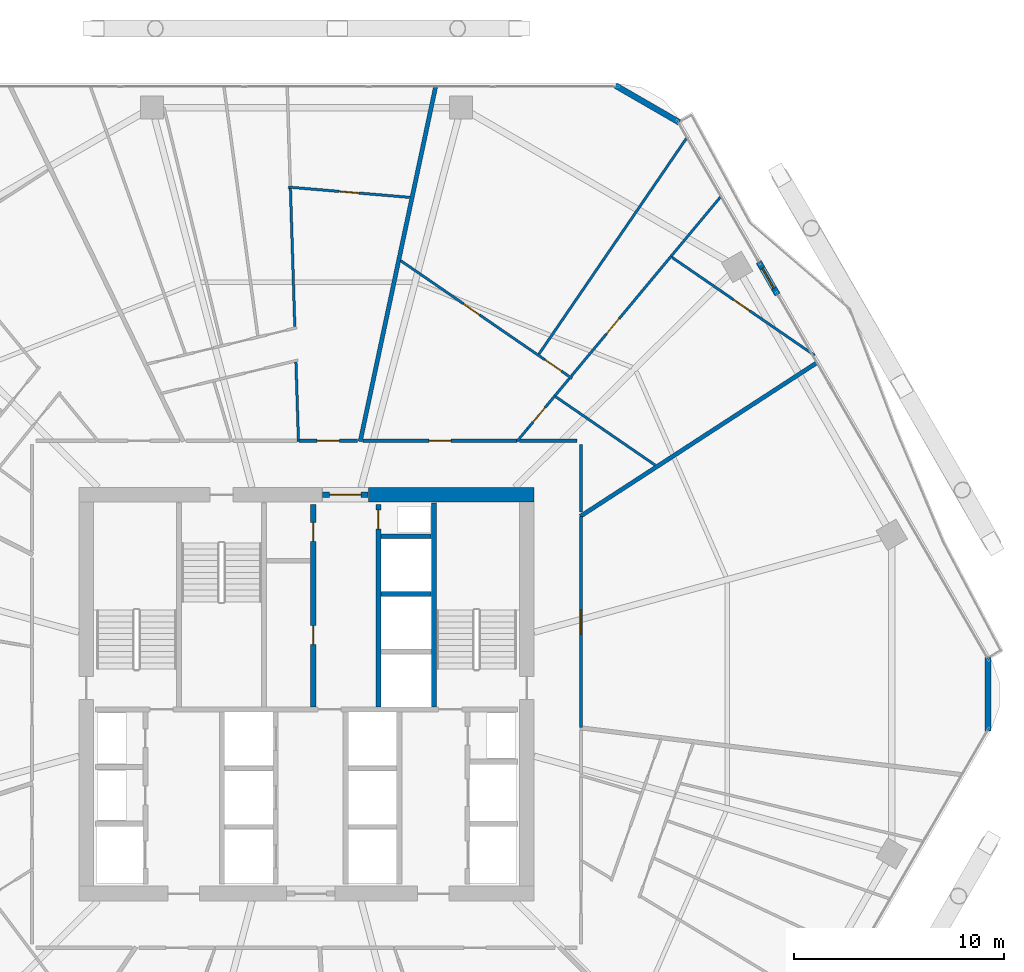
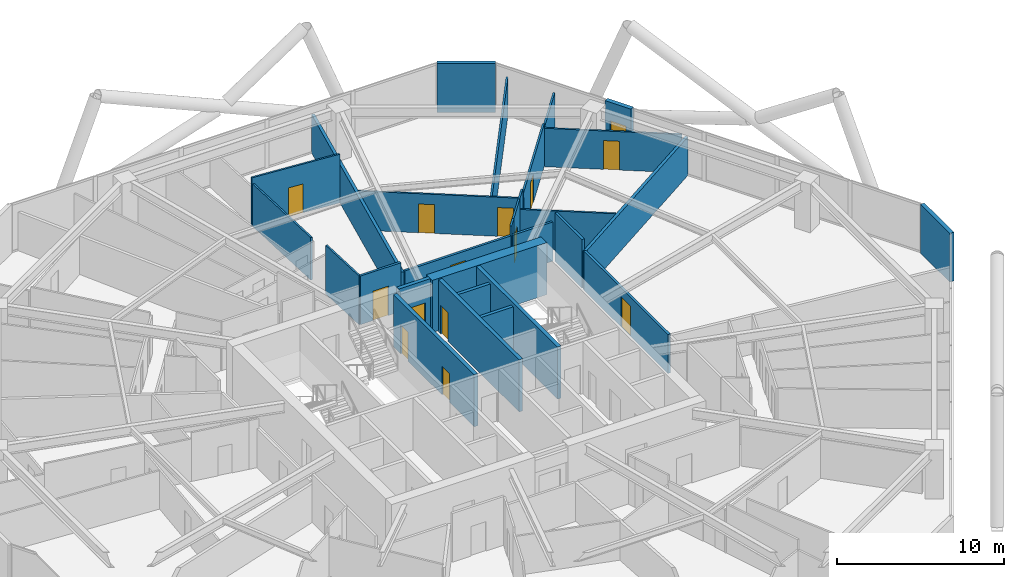
# One storey, part 31 of 35: 29 walls, 14 doors, 14 openings.
"""IFC4 building model written with IfcOpenShell, lengths in metres."""

import ifcopenshell
import ifcopenshell.guid

model = None  # the IFC model being written
_history = None  # IfcOwnerHistory: only IFC2X3 demands one
_inside = {}  # id of a spatial element -> (the spatial element, [elements in it])
_under = {}  # id of a project, library or spatial element -> (it, [spatial elements below it])
_declared = {}  # id of a project -> (the project, [libraries it declares])
_typed = {}  # id of a type object -> (the type object, [elements of that type])
_made_of = {}  # id of a material, layer set ... -> (it, [elements and type objects made of it])


def new_model(schema):
    """Start an empty IFC model of exactly this schema.

    Asked for "IFC4X3", IfcOpenShell would pick the latest addendum, in which some entities
    have other attributes; the version numbers below select the first issue.
    IFC2X3 requires an IfcOwnerHistory on every rooted entity: one is made here for all.
    """
    global model, _history
    if schema == "IFC4X3":
        model = ifcopenshell.file(schema_version=(4, 3, 0, 0))
    else:
        model = ifcopenshell.file(schema=schema)
    _inside.clear()
    _under.clear()
    _declared.clear()
    _typed.clear()
    _made_of.clear()
    _history = None
    if model.schema == "IFC2X3":
        org = make("IfcOrganization", Name="unknown")
        user = make(
            "IfcPersonAndOrganization",
            ThePerson=make("IfcPerson", FamilyName="unknown"),
            TheOrganization=org,
        )
        app = make(
            "IfcApplication",
            ApplicationDeveloper=org,
            Version="unknown",
            ApplicationFullName="unknown",
            ApplicationIdentifier="unknown",
        )
        _history = make(
            "IfcOwnerHistory",
            OwningUser=user,
            OwningApplication=app,
            ChangeAction="ADDED",
            CreationDate=0,
        )
    return model


def make(cls, **values):
    """One entity of the class cls with the attributes given. An attribute that is None is left unset."""
    return model.create_entity(
        cls, **{name: value for name, value in values.items() if value is not None}
    )


def rooted(cls, **values):
    """An entity with a GlobalId (a new one), such as an element, a storey or a relation."""
    return make(cls, GlobalId=ifcopenshell.guid.new(), OwnerHistory=_history, **values)


def si_unit(unit_type, name, prefix=None):
    """IfcSIUnit, for example si_unit("LENGTHUNIT", "METRE", prefix="MILLI")."""
    return make("IfcSIUnit", UnitType=unit_type, Prefix=prefix, Name=name)


def assignment(units):
    """IfcUnitAssignment: the units of a project."""
    return None if units is None else make("IfcUnitAssignment", Units=units)


def point(xyz):
    """IfcCartesianPoint."""
    return None if xyz is None else make("IfcCartesianPoint", Coordinates=xyz)


def direction(xyz):
    """IfcDirection."""
    return None if xyz is None else make("IfcDirection", DirectionRatios=xyz)


def frame(location, z_axis=None, x_axis=None):
    """IfcAxis2Placement3D, a coordinate frame: its origin and axes. An axis left out is left unset."""
    return make(
        "IfcAxis2Placement3D",
        Location=point(location),
        Axis=direction(z_axis),
        RefDirection=direction(x_axis),
    )


def frame_2d(location, x_axis=None):
    """IfcAxis2Placement2D, a coordinate frame in the plane: its origin and x axis."""
    return make(
        "IfcAxis2Placement2D", Location=point(location), RefDirection=direction(x_axis)
    )


def origin():
    """The frame at (0, 0, 0) with its axes left unset."""
    return frame((0.0, 0.0, 0.0))


def place(relative_to, where):
    """IfcLocalPlacement: puts the frame where relative to a parent placement (None: the world)."""
    return make(
        "IfcLocalPlacement", PlacementRelTo=relative_to, RelativePlacement=where
    )


def context(
    kind, dimensions, precision=None, world=None, true_north=None, identifier=None
):
    """IfcGeometricRepresentationContext, for example the 3D "Model" context."""
    return make(
        "IfcGeometricRepresentationContext",
        ContextIdentifier=identifier,
        ContextType=kind,
        CoordinateSpaceDimension=dimensions,
        Precision=precision,
        WorldCoordinateSystem=world,
        TrueNorth=true_north,
    )


def subcontext(parent, identifier, kind, view, scale=None):
    """IfcGeometricRepresentationSubContext, for example "Body" below "Model"."""
    return make(
        "IfcGeometricRepresentationSubContext",
        ContextIdentifier=identifier,
        ContextType=kind,
        ParentContext=parent,
        TargetScale=scale,
        TargetView=view,
    )


def project(units=None, contexts=None):
    """IfcProject with its units and contexts."""
    return rooted(
        "IfcProject",
        Name="project",
        RepresentationContexts=contexts,
        UnitsInContext=assignment(units),
    )


def spatial(cls, under=None, at=None, **own):
    """A site, building, storey or space (cls), placed at a placement, below another one or the project."""
    s = rooted(cls, ObjectPlacement=at, **own)
    if under is not None:
        _under.setdefault(under.id(), (under, []))[1].append(s)
    return s


def profile(cls, at=None, kind="AREA", **sizes):
    """A parametric profile (cls). Its sizes go by their IFC names, for example OverallWidth=200.0."""
    return make(cls, ProfileType=kind, Position=at, **sizes)


def rectangle(**sizes):
    """IfcRectangleProfileDef."""
    return profile("IfcRectangleProfileDef", **sizes)


def extrude(swept, where, along, depth):
    """IfcExtrudedAreaSolid: the profile swept, set in the frame where, extruded along a direction by depth."""
    return make(
        "IfcExtrudedAreaSolid",
        SweptArea=swept,
        Position=where,
        ExtrudedDirection=direction(along),
        Depth=depth,
    )


def shape(context_of_items, identifier, shape_type, items):
    """IfcShapeRepresentation: the items that make up one representation, for example the "Body"."""
    return make(
        "IfcShapeRepresentation",
        ContextOfItems=context_of_items,
        RepresentationIdentifier=identifier,
        RepresentationType=shape_type,
        Items=items,
    )


def material(Name=None, Category=None):
    """IfcMaterial."""
    return make("IfcMaterial", Name=Name, Category=Category)


def layer(
    of_material, thickness, ventilated=None, Name=None, Category=None, Priority=None
):
    """IfcMaterialLayer: one layer of a wall or slab, of a material (None: an air gap)."""
    return make(
        "IfcMaterialLayer",
        Material=of_material,
        LayerThickness=thickness,
        IsVentilated=ventilated,
        Name=Name,
        Category=Category,
        Priority=Priority,
    )


def layer_set(layers, Name=None):
    """IfcMaterialLayerSet."""
    return make("IfcMaterialLayerSet", MaterialLayers=layers, LayerSetName=Name)


def made_of(thing, what):
    """Note that an element or type object is made of a material, layer set ...; save() writes the relation."""
    if what is not None:
        _made_of.setdefault(what.id(), (what, []))[1].append(thing)
    return thing


def type_object(cls, material=None, **own):
    """A type object (cls), such as IfcWallType, which elements share."""
    return made_of(rooted(cls, **own), material)


def element(
    cls,
    number,
    at=None,
    inside=None,
    cuts=None,
    type_object=None,
    material=None,
    context=None,
    identifier="Body",
    shape_type=None,
    held_by="IfcProductDefinitionShape",
    body=None,
    shapes=None,
    **own,
):
    """One element of the class cls, such as IfcWall. Its Tag is "e" and its number.

    at: its placement. inside: the storey or other place that contains it. cuts: it is an
    opening in that element (IfcRelVoidsElement). A single representation is given by context,
    identifier, shape_type and body (its items); several are given by shapes. held_by: the class
    of the entity that holds the representations. save() writes the other relations.
    """
    e = rooted(cls, Tag="e%d" % number, ObjectPlacement=at, **own)
    if body is not None:
        shapes = [shape(context, identifier, shape_type, body)]
    if shapes is not None:
        e.Representation = make(held_by, Representations=shapes)
    if inside is not None:
        _inside.setdefault(inside.id(), (inside, []))[1].append(e)
    if cuts is not None:
        rooted(
            "IfcRelVoidsElement", RelatingBuildingElement=cuts, RelatedOpeningElement=e
        )
    if type_object is not None:
        _typed.setdefault(type_object.id(), (type_object, []))[1].append(e)
    return made_of(e, material)


def fill(opening, filler):
    """IfcRelFillsElement: the door or window that sits in an opening."""
    return rooted(
        "IfcRelFillsElement",
        RelatingOpeningElement=opening,
        RelatedBuildingElement=filler,
    )


def aggregate(whole, parts):
    """IfcRelAggregates: a whole, such as a stair, and the parts it consists of."""
    return rooted("IfcRelAggregates", RelatingObject=whole, RelatedObjects=parts)


def save(model, path):
    """Write the relations noted so far, then the file.

    IfcRelAggregates (storeys below a building ...), IfcRelContainedInSpatialStructure (elements
    in a storey), IfcRelDefinesByType, IfcRelAssociatesMaterial and IfcRelDeclares: one each for
    every whole, place, type object, material and project.
    """
    for whole, parts in _under.values():
        aggregate(whole, parts)
    for where, things in _inside.values():
        rooted(
            "IfcRelContainedInSpatialStructure",
            RelatedElements=things,
            RelatingStructure=where,
        )
    for kind, things in _typed.values():
        rooted("IfcRelDefinesByType", RelatedObjects=things, RelatingType=kind)
    for what, things in _made_of.values():
        rooted("IfcRelAssociatesMaterial", RelatedObjects=things, RelatingMaterial=what)
    for by, libraries in _declared.values():
        rooted("IfcRelDeclares", RelatingContext=by, RelatedDefinitions=libraries)
    model.write(path)


model = new_model("IFC4")

# Units and contexts
model_context = context("Model", 3, precision=1e-05, world=origin(), true_north=direction((0.0, 1.0)))
body_context = subcontext(model_context, "Body", "Model", "MODEL_VIEW")
ifc_project = project(units=[si_unit("LENGTHUNIT", "METRE"), si_unit("AREAUNIT", "SQUARE_METRE"), si_unit("VOLUMEUNIT", "CUBIC_METRE"), si_unit("PLANEANGLEUNIT", "RADIAN"), si_unit("MASSUNIT", "GRAM", prefix="KILO")], contexts=[model_context])

# Site, building, storey
site_placement = place(None, origin())
site = spatial("IfcSite", under=ifc_project, at=site_placement, CompositionType="ELEMENT")
building_placement = place(site_placement, origin())
building = spatial("IfcBuilding", under=site, at=building_placement, Name="Zuhravey Tower", CompositionType="ELEMENT")
storey_placement = place(building_placement, frame((0.0, 0.0, 122.800048828125)))
storey = spatial("IfcBuildingStorey", under=building, at=storey_placement, Name="L30", CompositionType="ELEMENT", Elevation=122.800048828125)

# Wall
ifc_material_1 = material(Name="Concrete C60/75", Category="concrete")
ifc_layer_1 = layer(ifc_material_1, 0.699951171875)
ifc_layer_set_1 = layer_set([ifc_layer_1], Name="Concrete C60/75")
wall_type_1 = type_object("IfcWallType", Name="Core Shear Wall 700", PredefinedType="SHEAR", material=ifc_layer_set_1)
wall_1_placement = place(storey_placement, frame((46.85009765625, 41.5, 0.0), z_axis=(0.0, 0.0, 1.0), x_axis=(-1.0, 0.0, 0.0)))
element("IfcWall", 1, at=wall_1_placement, inside=storey, type_object=wall_type_1, Name="L30 North-East Core Shear Wall CW70", PredefinedType="SHEAR", context=body_context, shape_type="SweptSolid", body=[
    extrude(rectangle(XDim=7.900146484375, YDim=0.699951171875, at=frame_2d((3.9501953125, 0.0))), origin(), (0.0, 0.0, 1.0), 3.800048828125),
])

# Wall, opening, door
ifc_material_2 = material(Name="Gypsum fire-rated stud partition")
ifc_layer_2 = layer(ifc_material_2, 0.159912109375)
ifc_layer_set_2 = layer_set([ifc_layer_2], Name="Gypsum fire-rated stud partition")
wall_type_2 = type_object("IfcWallType", Name="Corridor Fire Partition 160", PredefinedType="PARTITIONING", material=ifc_layer_set_2)
wall_2_placement = place(storey_placement, frame((46.031494140625, 44.080078125, 0.0), z_axis=(0.0, 0.0, 1.0), x_axis=(-1.0, 0.0, 0.0)))
wall_2 = element("IfcWall", 2, at=wall_2_placement, inside=storey, type_object=wall_type_2, Name="L30 IW16 Partition 024", PredefinedType="PARTITIONING", context=body_context, shape_type="SweptSolid", body=[
    extrude(rectangle(XDim=7.3330078125, YDim=0.159912109375, at=frame_2d((3.66650390625, 0.0))), origin(), (0.0, 0.0, 1.0), 2.849853515625),
])
opening_1_placement = place(wall_2_placement, frame((3.1416015625, 0.0, 0.0)))
opening_1 = element("IfcOpeningElement", 3, at=opening_1_placement, cuts=wall_2, Name="Opening APD1", PredefinedType="OPENING", context=body_context, shape_type="SweptSolid", body=[
    extrude(rectangle(XDim=1.050048828125, YDim=2.14990234375, at=frame_2d((0.52490234375, 1.074951171875))), frame((0.0, 0.092041015625, 0.0), z_axis=(0.0, -1.0, 0.0), x_axis=(1.0, 0.0, 0.0)), (0.0, 0.0, 1.0), 0.183837890625),
])
ifc_material_3 = material(Name="Solid-core oak fire-rated leaf")
door_type_1 = type_object("IfcDoorType", Name="Apartment Entrance Fire Door 1050x2150", OperationType="NOTDEFINED", PredefinedType="DOOR", material=ifc_material_3)
door_1_placement = place(opening_1_placement, frame((1.050048828125, 0.0, 0.0), z_axis=(0.0, 0.0, 1.0), x_axis=(-1.0, 0.0, 0.0)))
door_1 = element("IfcDoor", 4, at=door_1_placement, inside=storey, type_object=door_type_1, Name="L30 Door 024.1", OperationType="SINGLE_SWING_LEFT", OverallHeight=2.14990234375, OverallWidth=1.050048828125, PredefinedType="DOOR", context=body_context, shape_type="SweptSolid", body=[
    extrude(rectangle(XDim=1.050048828125, YDim=2.14990234375, at=frame_2d((0.52490234375, 1.074951171875))), frame((0.0, 0.02490234375, 0.0), z_axis=(0.0, -1.0, 0.0), x_axis=(1.0, 0.0, 0.0)), (0.0, 0.0, 1.0), 0.050048828125),
])
fill(opening_1, door_1)

wall_3_placement = place(storey_placement, frame((38.437255859375, 44.080078125, 0.0), z_axis=(0.0, 0.0, 1.0), x_axis=(-1.0, 0.0, 0.0)))
wall_3 = element("IfcWall", 5, at=wall_3_placement, inside=storey, type_object=wall_type_2, Name="L30 IW16 Partition 028", PredefinedType="PARTITIONING", context=body_context, shape_type="SweptSolid", body=[
    extrude(rectangle(XDim=2.801025390625, YDim=0.159912109375, at=frame_2d((1.400390625, 0.0))), origin(), (0.0, 0.0, 1.0), 3.550048828125),
])
opening_2_placement = place(wall_3_placement, frame((0.87548828125, 0.0, 0.0)))
opening_2 = element("IfcOpeningElement", 6, at=opening_2_placement, cuts=wall_3, Name="Opening APD1", PredefinedType="OPENING", context=body_context, shape_type="SweptSolid", body=[
    extrude(rectangle(XDim=1.050048828125, YDim=2.14990234375, at=frame_2d((0.52490234375, 1.074951171875))), frame((0.0, 0.092041015625, 0.0), z_axis=(0.0, -1.0, 0.0), x_axis=(1.0, 0.0, 0.0)), (0.0, 0.0, 1.0), 0.183837890625),
])
door_2_placement = place(opening_2_placement, frame((1.050048828125, 0.0, 0.0), z_axis=(0.0, 0.0, 1.0), x_axis=(-1.0, 0.0, 0.0)))
door_2 = element("IfcDoor", 7, at=door_2_placement, inside=storey, type_object=door_type_1, Name="L30 Door 028.1", OperationType="SINGLE_SWING_LEFT", OverallHeight=2.14990234375, OverallWidth=1.050048828125, PredefinedType="DOOR", context=body_context, shape_type="SweptSolid", body=[
    extrude(rectangle(XDim=1.050048828125, YDim=2.14990234375, at=frame_2d((0.52490234375, 1.074951171875))), frame((0.0, 0.02490234375, 0.0), z_axis=(0.0, -1.0, 0.0), x_axis=(1.0, 0.0, 0.0)), (0.0, 0.0, 1.0), 0.050048828125),
])
fill(opening_2, door_2)

wall_4_placement = place(storey_placement, frame((49.080078125, 30.4140625, 0.0), z_axis=(0.0, 0.0, 1.0), x_axis=(0.0, 1.0, 0.0)))
wall_4 = element("IfcWall", 8, at=wall_4_placement, inside=storey, type_object=wall_type_2, Name="L30 IW16 Partition 058", PredefinedType="PARTITIONING", context=body_context, shape_type="SweptSolid", body=[
    extrude(rectangle(XDim=10.056396484375, YDim=0.159912109375, at=frame_2d((5.0283203125, 0.0))), origin(), (0.0, 0.0, 1.0), 2.849853515625),
])
opening_3_placement = place(wall_4_placement, frame((4.453125, 0.0, 0.0)))
opening_3 = element("IfcOpeningElement", 9, at=opening_3_placement, cuts=wall_4, Name="Opening CLD1", PredefinedType="OPENING", context=body_context, shape_type="SweptSolid", body=[
    extrude(rectangle(XDim=1.14990234375, YDim=2.199951171875, at=frame_2d((0.574951171875, 1.10009765625))), frame((0.0, 0.092041015625, 0.0), z_axis=(0.0, -1.0, 0.0), x_axis=(1.0, 0.0, 0.0)), (0.0, 0.0, 1.0), 0.183837890625),
])
ifc_material_4 = material(Name="Acoustic timber leaf with vision lite", Category="wood")
door_type_2 = type_object("IfcDoorType", Name="Classroom Acoustic Door 1150x2200", OperationType="NOTDEFINED", PredefinedType="DOOR", material=ifc_material_4)
door_3_placement = place(opening_3_placement, frame((1.14990234375, 0.0, 0.0), z_axis=(0.0, 0.0, 1.0), x_axis=(-1.0, 0.0, 0.0)))
door_3 = element("IfcDoor", 10, at=door_3_placement, inside=storey, type_object=door_type_2, Name="L30 Door 058.1", OperationType="SINGLE_SWING_RIGHT", OverallHeight=2.199951171875, OverallWidth=1.14990234375, PredefinedType="DOOR", context=body_context, shape_type="SweptSolid", body=[
    extrude(rectangle(XDim=1.14990234375, YDim=2.199951171875, at=frame_2d((0.574951171875, 1.10009765625))), frame((0.0, 0.02490234375, 0.0), z_axis=(0.0, -1.0, 0.0), x_axis=(1.0, 0.0, 0.0)), (0.0, 0.0, 1.0), 0.050048828125),
])
fill(opening_3, door_3)

# Walls
wall_5_placement = place(storey_placement, frame((49.080078125, 40.681396484375, 0.0), z_axis=(0.0, 0.0, 1.0), x_axis=(0.0, 1.0, 0.0)))
element("IfcWall", 11, at=wall_5_placement, inside=storey, type_object=wall_type_2, Name="L30 IW16 Partition 114", PredefinedType="PARTITIONING", context=body_context, shape_type="SweptSolid", body=[
    extrude(rectangle(XDim=3.218505859375, YDim=0.159912109375, at=frame_2d((1.609375, 0.0))), origin(), (0.0, 0.0, 1.0), 3.550048828125),
])
wall_6_placement = place(storey_placement, frame((48.89990234375, 44.080078125, 0.0), z_axis=(0.0, 0.0, 1.0), x_axis=(-1.0, 0.0, 0.0)))
element("IfcWall", 12, at=wall_6_placement, inside=storey, type_object=wall_type_2, Name="L30 IW16 Partition 115", PredefinedType="PARTITIONING", context=body_context, shape_type="SweptSolid", body=[
    extrude(rectangle(XDim=2.75390625, YDim=0.159912109375, at=frame_2d((1.376953125, 0.0))), origin(), (0.0, 0.0, 1.0), 2.849853515625),
])
ifc_material_5 = material(Name="Precast concrete C40/50", Category="concrete")
ifc_layer_3 = layer(ifc_material_5, 0.280029296875)
ifc_layer_set_3 = layer_set([ifc_layer_3], Name="Precast concrete C40/50")
wall_type_3 = type_object("IfcWallType", Name="Crown Architectural Wall 280", PredefinedType="SOLIDWALL", material=ifc_layer_set_3)
wall_7_placement = place(storey_placement, frame((50.71728515625, 61.006103515625, 0.0), z_axis=(0.0, 0.0, 1.0), x_axis=(0.866007452331, -0.500031091541, 0.0)))
element("IfcWall", 13, at=wall_7_placement, inside=storey, type_object=wall_type_3, Name="L30 Rounded Corner Closure Wall EW28-10", PredefinedType="SOLIDWALL", context=body_context, shape_type="SweptSolid", body=[
    extrude(rectangle(XDim=3.514892578125, YDim=0.280029296875, at=frame_2d((1.75732421875, 0.0))), origin(), (0.0, 0.0, 1.0), 3.550048828125),
])

# Wall, opening, door
wall_8_placement = place(storey_placement, frame((57.54931640625, 52.59228515625, 0.0), z_axis=(0.0, 0.0, 1.0), x_axis=(0.499982180423, -0.866035691677, 0.0)))
wall_8 = element("IfcWall", 14, at=wall_8_placement, inside=storey, type_object=wall_type_3, Name="L30 Face 1 Facade Pier EW28-1", PredefinedType="SOLIDWALL", context=body_context, shape_type="SweptSolid", body=[
    extrude(rectangle(XDim=1.7900390625, YDim=0.280029296875, at=frame_2d((0.89501953125, 0.0))), origin(), (0.0, 0.0, 1.0), 3.550048828125),
])
opening_4_placement = place(wall_8_placement, frame((0.344970703125, 0.0, 0.0)))
opening_4 = element("IfcOpeningElement", 15, at=opening_4_placement, cuts=wall_8, Name="Opening BLD1", PredefinedType="OPENING", context=body_context, shape_type="SweptSolid", body=[
    extrude(rectangle(XDim=1.10009765625, YDim=2.199951171875, at=frame_2d((0.550048828125, 1.10009765625))), frame((0.0, 0.152099609375, 0.0), z_axis=(0.0, -1.0, 0.0), x_axis=(1.0, 0.0, 0.0)), (0.0, 0.0, 1.0), 0.303955078125),
])
ifc_material_6 = material(Name="Thermally broken aluminium and low-E glass", Category="aluminium")
door_type_3 = type_object("IfcDoorType", Name="Balcony & Sky-Tray Glazed Door 1100x2200", OperationType="NOTDEFINED", PredefinedType="DOOR", material=ifc_material_6)
door_4_placement = place(opening_4_placement, frame((1.10009765625, 0.0, 0.0), z_axis=(0.0, 0.0, 1.0), x_axis=(-1.0, 0.0, 0.0)))
door_4 = element("IfcDoor", 16, at=door_4_placement, inside=storey, type_object=door_type_3, Name="L30 Face 1 Wave Balcony Door", OperationType="SINGLE_SWING_RIGHT", OverallHeight=2.199951171875, OverallWidth=1.10009765625, PredefinedType="DOOR", context=body_context, shape_type="SweptSolid", body=[
    extrude(rectangle(XDim=1.10009765625, YDim=2.199951171875, at=frame_2d((0.550048828125, 1.10009765625))), frame((0.0, 0.02490234375, 0.0), z_axis=(0.0, -1.0, 0.0), x_axis=(1.0, 0.0, 0.0)), (0.0, 0.0, 1.0), 0.050048828125),
])
fill(opening_4, door_4)

# Wall
wall_9_placement = place(storey_placement, frame((68.478515625, 33.757568359375, 0.0), z_axis=(0.0, 0.0, 1.0), x_axis=(0.0, -1.0, 0.0)))
element("IfcWall", 17, at=wall_9_placement, inside=storey, type_object=wall_type_3, Name="L30 Rounded Corner Closure Wall EW28-12", PredefinedType="SOLIDWALL", context=body_context, shape_type="SweptSolid", body=[
    extrude(rectangle(XDim=3.51513671875, YDim=0.280029296875, at=frame_2d((1.757568359375, 0.0))), origin(), (0.0, 0.0, 1.0), 3.550048828125),
])

# Wall, opening, door
ifc_material_7 = material(Name="Concrete C50/60", Category="concrete")
ifc_layer_4 = layer(ifc_material_7, 0.25)
ifc_layer_set_4 = layer_set([ifc_layer_4], Name="Concrete C50/60")
wall_type_4 = type_object("IfcWallType", Name="Firefighting Shaft & Stair Wall 250", PredefinedType="SOLIDWALL", material=ifc_layer_set_4)
wall_10_placement = place(storey_placement, frame((36.760009765625, 41.5, 0.0), z_axis=(0.0, 0.0, 1.0), x_axis=(1.0, 0.0, 0.0)))
wall_10 = element("IfcWall", 18, at=wall_10_placement, inside=storey, type_object=wall_type_4, Name="L30 FW25 Shaft Wall 002", PredefinedType="SOLIDWALL", context=body_context, shape_type="SweptSolid", body=[
    extrude(rectangle(XDim=2.179931640625, YDim=0.25, at=frame_2d((1.08984375, 0.0))), origin(), (0.0, 0.0, 1.0), 3.800048828125),
])
opening_5_placement = place(wall_10_placement, frame((0.340087890625, 0.0, 0.0)))
opening_5 = element("IfcOpeningElement", 19, at=opening_5_placement, cuts=wall_10, Name="Opening FFD1", PredefinedType="OPENING", context=body_context, shape_type="SweptSolid", body=[
    extrude(rectangle(XDim=1.5, YDim=2.14990234375, at=frame_2d((0.75, 1.074951171875))), frame((0.0, 0.136962890625, 0.0), z_axis=(0.0, -1.0, 0.0), x_axis=(1.0, 0.0, 0.0)), (0.0, 0.0, 1.0), 0.27392578125),
])
ifc_material_8 = material(Name="Galvanised fire-rated steel leaf", Category="steel")
door_type_4 = type_object("IfcDoorType", Name="Firefighting Lobby Double Door 1500x2150", OperationType="DOUBLE_DOOR_SINGLE_SWING", PredefinedType="DOOR", material=ifc_material_8)
door_5_placement = place(opening_5_placement, origin())
door_5 = element("IfcDoor", 20, at=door_5_placement, inside=storey, type_object=door_type_4, Name="L30 North Lift Lobby Exit Door", OperationType="DOUBLE_DOOR_SINGLE_SWING", OverallHeight=2.14990234375, OverallWidth=1.5, PredefinedType="DOOR", context=body_context, shape_type="SweptSolid", body=[
    extrude(rectangle(XDim=1.5, YDim=2.14990234375, at=frame_2d((0.75, 1.074951171875))), frame((0.0, 0.02490234375, 0.0), z_axis=(0.0, -1.0, 0.0), x_axis=(1.0, 0.0, 0.0)), (0.0, 0.0, 1.0), 0.050048828125),
])
fill(opening_5, door_5)

# Wall
wall_11_placement = place(storey_placement, frame((42.074951171875, 31.39990234375, 0.0), z_axis=(0.0, 0.0, 1.0), x_axis=(0.0, 1.0, 0.0)))
element("IfcWall", 21, at=wall_11_placement, inside=storey, type_object=wall_type_4, Name="L30 FW25 Shaft Wall 006", PredefinedType="SOLIDWALL", context=body_context, shape_type="SweptSolid", body=[
    extrude(rectangle(XDim=9.7001953125, YDim=0.25, at=frame_2d((4.85009765625, 0.0))), origin(), (0.0, 0.0, 1.0), 3.800048828125),
])

# Wall, openings, doors
wall_12_placement = place(storey_placement, frame((36.324951171875, 31.39990234375, 0.0), z_axis=(0.0, 0.0, 1.0), x_axis=(0.0, 1.0, 0.0)))
wall_12 = element("IfcWall", 22, at=wall_12_placement, inside=storey, type_object=wall_type_4, Name="L30 FW25 Shaft Wall 007", PredefinedType="SOLIDWALL", context=body_context, shape_type="SweptSolid", body=[
    extrude(rectangle(XDim=9.650146484375, YDim=0.25, at=frame_2d((4.8251953125, 0.0))), origin(), (0.0, 0.0, 1.0), 3.800048828125),
])
opening_6_placement = place(wall_12_placement, frame((2.965087890625, 0.0, 0.0)))
opening_6 = element("IfcOpeningElement", 23, at=opening_6_placement, cuts=wall_12, Name="Opening RSD1", PredefinedType="OPENING", context=body_context, shape_type="SweptSolid", body=[
    extrude(rectangle(XDim=0.89990234375, YDim=2.10009765625, at=frame_2d((0.449951171875, 1.050048828125))), frame((0.0, 0.136962890625, 0.0), z_axis=(0.0, -1.0, 0.0), x_axis=(1.0, 0.0, 0.0)), (0.0, 0.0, 1.0), 0.27392578125),
])
opening_7_placement = place(wall_12_placement, frame((7.885009765625, 0.0, 0.0)))
opening_7 = element("IfcOpeningElement", 24, at=opening_7_placement, cuts=wall_12, Name="Opening RSD1", PredefinedType="OPENING", context=body_context, shape_type="SweptSolid", body=[
    extrude(rectangle(XDim=0.89990234375, YDim=2.10009765625, at=frame_2d((0.449951171875, 1.050048828125))), frame((0.0, 0.136962890625, 0.0), z_axis=(0.0, -1.0, 0.0), x_axis=(1.0, 0.0, 0.0)), (0.0, 0.0, 1.0), 0.27392578125),
])
ifc_material_9 = material(Name="Galvanised fire-rated steel access leaf", Category="steel")
door_type_5 = type_object("IfcDoorType", Name="Riser & Shaft Access Fire Door 900x2100", OperationType="NOTDEFINED", PredefinedType="DOOR", material=ifc_material_9)
door_6_placement = place(opening_6_placement, origin())
door_6 = element("IfcDoor", 25, at=door_6_placement, inside=storey, type_object=door_type_5, Name="L30 Equipment and Refuse Store Door", OperationType="SINGLE_SWING_RIGHT", OverallHeight=2.10009765625, OverallWidth=0.89990234375, PredefinedType="DOOR", context=body_context, shape_type="SweptSolid", body=[
    extrude(rectangle(XDim=0.89990234375, YDim=2.10009765625, at=frame_2d((0.449951171875, 1.050048828125))), frame((0.0, 0.02490234375, 0.0), z_axis=(0.0, -1.0, 0.0), x_axis=(1.0, 0.0, 0.0)), (0.0, 0.0, 1.0), 0.050048828125),
])
fill(opening_6, door_6)
door_7_placement = place(opening_7_placement, origin())
door_7 = element("IfcDoor", 26, at=door_7_placement, inside=storey, type_object=door_type_5, Name="L30 BMS Control Room Door", OperationType="SINGLE_SWING_LEFT", OverallHeight=2.10009765625, OverallWidth=0.89990234375, PredefinedType="DOOR", context=body_context, shape_type="SweptSolid", body=[
    extrude(rectangle(XDim=0.89990234375, YDim=2.10009765625, at=frame_2d((0.449951171875, 1.050048828125))), frame((0.0, 0.02490234375, 0.0), z_axis=(0.0, -1.0, 0.0), x_axis=(1.0, 0.0, 0.0)), (0.0, 0.0, 1.0), 0.050048828125),
])
fill(opening_7, door_7)

# Wall, opening, door
wall_13_placement = place(storey_placement, frame((39.425048828125, 31.39990234375, 0.0), z_axis=(0.0, 0.0, 1.0), x_axis=(0.0, 1.0, 0.0)))
wall_13 = element("IfcWall", 27, at=wall_13_placement, inside=storey, type_object=wall_type_4, Name="L30 FW25 Shaft Wall 008", PredefinedType="SOLIDWALL", context=body_context, shape_type="SweptSolid", body=[
    extrude(rectangle(XDim=9.650146484375, YDim=0.25, at=frame_2d((4.8251953125, 0.0))), origin(), (0.0, 0.0, 1.0), 3.800048828125),
])
opening_8_placement = place(wall_13_placement, frame((8.469970703125, 0.0, 0.0)))
opening_8 = element("IfcOpeningElement", 28, at=opening_8_placement, cuts=wall_13, Name="Opening RSD1", PredefinedType="OPENING", context=body_context, shape_type="SweptSolid", body=[
    extrude(rectangle(XDim=0.89990234375, YDim=2.10009765625, at=frame_2d((0.449951171875, 1.050048828125))), frame((0.0, 0.136962890625, 0.0), z_axis=(0.0, -1.0, 0.0), x_axis=(1.0, 0.0, 0.0)), (0.0, 0.0, 1.0), 0.27392578125),
])
door_8_placement = place(opening_8_placement, origin())
door_8 = element("IfcDoor", 29, at=door_8_placement, inside=storey, type_object=door_type_5, Name="L30 North Riser Door", OperationType="SINGLE_SWING_RIGHT", OverallHeight=2.10009765625, OverallWidth=0.89990234375, PredefinedType="DOOR", context=body_context, shape_type="SweptSolid", body=[
    extrude(rectangle(XDim=0.89990234375, YDim=2.10009765625, at=frame_2d((0.449951171875, 1.050048828125))), frame((0.0, 0.02490234375, 0.0), z_axis=(0.0, -1.0, 0.0), x_axis=(1.0, 0.0, 0.0)), (0.0, 0.0, 1.0), 0.050048828125),
])
fill(opening_8, door_8)

# Walls
ifc_material_10 = material(Name="Gypsum double-stud party assembly")
ifc_layer_5 = layer(ifc_material_10, 0.199951171875)
ifc_layer_set_5 = layer_set([ifc_layer_5], Name="Gypsum double-stud party assembly")
wall_type_5 = type_object("IfcWallType", Name="Inter-Tenancy Party Wall 200", PredefinedType="PARTITIONING", material=ifc_layer_set_5)
wall_14_placement = place(storey_placement, frame((49.043212890625, 40.470458984375, 0.0), z_axis=(0.0, 0.0, 1.0), x_axis=(0.8386663159, 0.544645582535, 0.0)))
element("IfcWall", 30, at=wall_14_placement, inside=storey, type_object=wall_type_5, Name="L30 IW20 Partition 067", PredefinedType="PARTITIONING", context=body_context, shape_type="SweptSolid", body=[
    extrude(rectangle(XDim=13.44580078125, YDim=0.199951171875, at=frame_2d((6.722900390625, 0.0))), origin(), (0.0, 0.0, 1.0), 2.800048828125),
])
wall_15_placement = place(storey_placement, frame((38.55908203125, 44.0400390625, 0.0), z_axis=(0.0, 0.0, 1.0), x_axis=(0.207915139831, 0.978146867617, 0.0)))
element("IfcWall", 31, at=wall_15_placement, inside=storey, type_object=wall_type_5, Name="L30 IW20 Partition 072", PredefinedType="PARTITIONING", context=body_context, shape_type="SweptSolid", body=[
    extrude(rectangle(XDim=17.29638671875, YDim=0.199951171875, at=frame_2d((8.648193359375, 0.0))), origin(), (0.0, 0.0, 1.0), 2.800048828125),
])
ifc_material_11 = material(Name="Gypsum acoustic stud assembly")
ifc_layer_6 = layer(ifc_material_11, 0.219970703125)
ifc_layer_set_6 = layer_set([ifc_layer_6], Name="Gypsum acoustic stud assembly")
wall_type_6 = type_object("IfcWallType", Name="School Acoustic Compartment Wall 220", PredefinedType="PARTITIONING", material=ifc_layer_set_6)
for number, where, z_axis, x_axis, name in (
    (32, (39.55810546875, 36.77490234375, 0.0), (0.0, 0.0, 1.0), (1.0, 0.0, 0.0), "L30 IW22 Partition 061"),
    (33, (39.55810546875, 39.52490234375, 0.0), (0.0, 0.0, 1.0), (1.0, 0.0, 0.0), "L30 IW22 Partition 062"),
):
    element("IfcWall", number, at=place(storey_placement, frame(where, z_axis=z_axis, x_axis=x_axis)), inside=storey, type_object=wall_type_6, Name=name, PredefinedType="PARTITIONING", context=body_context, shape_type="SweptSolid", body=[
        extrude(rectangle(XDim=2.3837890625, YDim=0.219970703125, at=frame_2d((1.19189453125, 0.0))), origin(), (0.0, 0.0, 1.0), 3.550048828125),
    ])

# Wall, openings, doors
ifc_material_12 = material(Name="Gypsum metal-stud partition")
ifc_layer_7 = layer(ifc_material_12, 0.1201171875)
ifc_layer_set_7 = layer_set([ifc_layer_7], Name="Gypsum metal-stud partition")
wall_type_7 = type_object("IfcWallType", Name="Unit Internal Partition 120", PredefinedType="PARTITIONING", material=ifc_layer_set_7)
wall_16_placement = place(storey_placement, frame((48.656005859375, 47.044677734375, 0.0), z_axis=(0.0, 0.0, 1.0), x_axis=(-0.824135244069, 0.566393060943, 0.0)))
wall_16 = element("IfcWall", 34, at=wall_16_placement, inside=storey, type_object=wall_type_7, Name="L30 IW12 Partition 019", PredefinedType="PARTITIONING", context=body_context, shape_type="SweptSolid", body=[
    extrude(rectangle(XDim=9.922119140625, YDim=0.1201171875, at=frame_2d((4.9609375, 0.0))), origin(), (0.0, 0.0, 1.0), 2.849853515625),
])
opening_9_placement = place(wall_16_placement, frame((0.62451171875, 0.0, 0.0)))
opening_9 = element("IfcOpeningElement", 35, at=opening_9_placement, cuts=wall_16, Name="Opening IND1", PredefinedType="OPENING", context=body_context, shape_type="SweptSolid", body=[
    extrude(rectangle(XDim=0.949951171875, YDim=2.10009765625, at=frame_2d((0.47509765625, 1.050048828125))), frame((0.0, 0.072021484375, 0.0), z_axis=(0.0, -1.0, 0.0), x_axis=(1.0, 0.0, 0.0)), (0.0, 0.0, 1.0), 0.14404296875),
])
opening_10_placement = place(wall_16_placement, frame((5.345703125, 0.0, 0.0)))
opening_10 = element("IfcOpeningElement", 36, at=opening_10_placement, cuts=wall_16, Name="Opening IND1", PredefinedType="OPENING", context=body_context, shape_type="SweptSolid", body=[
    extrude(rectangle(XDim=0.949951171875, YDim=2.10009765625, at=frame_2d((0.47509765625, 1.050048828125))), frame((0.0, 0.072021484375, 0.0), z_axis=(0.0, -1.0, 0.0), x_axis=(1.0, 0.0, 0.0)), (0.0, 0.0, 1.0), 0.14404296875),
])
ifc_material_13 = material(Name="Painted engineered timber leaf", Category="wood")
door_type_6 = type_object("IfcDoorType", Name="Internal Room & Bedroom Door 950x2100", OperationType="NOTDEFINED", PredefinedType="DOOR", material=ifc_material_13)
door_9_placement = place(opening_9_placement, frame((0.949951171875, 0.0, 0.0), z_axis=(0.0, 0.0, 1.0), x_axis=(-1.0, 0.0, 0.0)))
door_9 = element("IfcDoor", 37, at=door_9_placement, inside=storey, type_object=door_type_6, Name="Apartment L30-01 Family Study Door", OperationType="SINGLE_SWING_RIGHT", OverallHeight=2.10009765625, OverallWidth=0.949951171875, PredefinedType="DOOR", context=body_context, shape_type="SweptSolid", body=[
    extrude(rectangle(XDim=0.949951171875, YDim=2.10009765625, at=frame_2d((0.47509765625, 1.050048828125))), frame((0.0, 0.02490234375, 0.0), z_axis=(0.0, -1.0, 0.0), x_axis=(1.0, 0.0, 0.0)), (0.0, 0.0, 1.0), 0.050048828125),
])
fill(opening_9, door_9)
door_10_placement = place(opening_10_placement, frame((0.949951171875, 0.0, 0.0), z_axis=(0.0, 0.0, 1.0), x_axis=(-1.0, 0.0, 0.0)))
door_10 = element("IfcDoor", 38, at=door_10_placement, inside=storey, type_object=door_type_6, Name="Apartment L30-01 Dining Room Door", OperationType="SINGLE_SWING_LEFT", OverallHeight=2.10009765625, OverallWidth=0.949951171875, PredefinedType="DOOR", context=body_context, shape_type="SweptSolid", body=[
    extrude(rectangle(XDim=0.949951171875, YDim=2.10009765625, at=frame_2d((0.47509765625, 1.050048828125))), frame((0.0, 0.02490234375, 0.0), z_axis=(0.0, -1.0, 0.0), x_axis=(1.0, 0.0, 0.0)), (0.0, 0.0, 1.0), 0.050048828125),
])
fill(opening_10, door_10)

# Wall, opening, door
wall_17_placement = place(storey_placement, frame((46.531982421875, 44.64990234375, 0.0), z_axis=(0.0, 0.0, 1.0), x_axis=(0.639844525029, 0.768504381114, 0.0)))
wall_17 = element("IfcWall", 39, at=wall_17_placement, inside=storey, type_object=wall_type_7, Name="L30 IW12 Partition 020", PredefinedType="PARTITIONING", context=body_context, shape_type="SweptSolid", body=[
    extrude(rectangle(XDim=2.04931640625, YDim=0.1201171875, at=frame_2d((1.024658203125, 0.0))), origin(), (0.0, 0.0, 1.0), 3.550048828125),
])
opening_11_placement = place(wall_17_placement, frame((0.41064453125, 0.0, 0.0)))
opening_11 = element("IfcOpeningElement", 40, at=opening_11_placement, cuts=wall_17, Name="Opening WCD1", PredefinedType="OPENING", context=body_context, shape_type="SweptSolid", body=[
    extrude(rectangle(XDim=0.89990234375, YDim=2.10009765625, at=frame_2d((0.449951171875, 1.050048828125))), frame((0.0, 0.072021484375, 0.0), z_axis=(0.0, -1.0, 0.0), x_axis=(1.0, 0.0, 0.0)), (0.0, 0.0, 1.0), 0.14404296875),
])
ifc_material_14 = material(Name="Moisture-resistant timber leaf", Category="wood")
door_type_7 = type_object("IfcDoorType", Name="Bathroom & WC Internal Door 900x2100", OperationType="NOTDEFINED", PredefinedType="DOOR", material=ifc_material_14)
door_11_placement = place(opening_11_placement, frame((0.89990234375, 0.0, 0.0), z_axis=(0.0, 0.0, 1.0), x_axis=(-1.0, 0.0, 0.0)))
door_11 = element("IfcDoor", 41, at=door_11_placement, inside=storey, type_object=door_type_7, Name="Apartment L30-01 Bathroom Door", OperationType="SINGLE_SWING_RIGHT", OverallHeight=2.10009765625, OverallWidth=0.89990234375, PredefinedType="DOOR", context=body_context, shape_type="SweptSolid", body=[
    extrude(rectangle(XDim=0.89990234375, YDim=2.10009765625, at=frame_2d((0.449951171875, 1.050048828125))), frame((0.0, 0.02490234375, 0.0), z_axis=(0.0, -1.0, 0.0), x_axis=(1.0, 0.0, 0.0)), (0.0, 0.0, 1.0), 0.050048828125),
])
fill(opening_11, door_11)

# Wall
wall_18_placement = place(storey_placement, frame((47.84326171875, 46.224853515625, 0.0), z_axis=(0.0, 0.0, 1.0), x_axis=(0.639870887219, 0.768482431608, 0.0)))
element("IfcWall", 42, at=wall_18_placement, inside=storey, type_object=wall_type_7, Name="L30 IW12 Partition 021", PredefinedType="PARTITIONING", context=body_context, shape_type="SweptSolid", body=[
    extrude(rectangle(XDim=1.072509765625, YDim=0.1201171875, at=frame_2d((0.5361328125, 0.0))), origin(), (0.0, 0.0, 1.0), 3.550048828125),
])

# Wall, opening, door
wall_19_placement = place(storey_placement, frame((48.616943359375, 47.15380859375, 0.0), z_axis=(0.0, 0.0, 1.0), x_axis=(0.639832473506, 0.768514414859, 0.0)))
wall_19 = element("IfcWall", 43, at=wall_19_placement, inside=storey, type_object=wall_type_7, Name="L30 IW12 Partition 022", PredefinedType="PARTITIONING", context=body_context, shape_type="SweptSolid", body=[
    extrude(rectangle(XDim=7.43896484375, YDim=0.1201171875, at=frame_2d((3.719482421875, 0.0))), origin(), (0.0, 0.0, 1.0), 3.099853515625),
])
opening_12_placement = place(wall_19_placement, frame((2.614990234375, 0.0, 0.0)))
opening_12 = element("IfcOpeningElement", 44, at=opening_12_placement, cuts=wall_19, Name="Opening IND1", PredefinedType="OPENING", context=body_context, shape_type="SweptSolid", body=[
    extrude(rectangle(XDim=0.949951171875, YDim=2.10009765625, at=frame_2d((0.47509765625, 1.050048828125))), frame((0.0, 0.072021484375, 0.0), z_axis=(0.0, -1.0, 0.0), x_axis=(1.0, 0.0, 0.0)), (0.0, 0.0, 1.0), 0.14404296875),
])
door_12_placement = place(opening_12_placement, frame((0.949951171875, 0.0, 0.0), z_axis=(0.0, 0.0, 1.0), x_axis=(-1.0, 0.0, 0.0)))
door_12 = element("IfcDoor", 45, at=door_12_placement, inside=storey, type_object=door_type_6, Name="Apartment L30-01 Home Office Door", OperationType="SINGLE_SWING_LEFT", OverallHeight=2.10009765625, OverallWidth=0.949951171875, PredefinedType="DOOR", context=body_context, shape_type="SweptSolid", body=[
    extrude(rectangle(XDim=0.949951171875, YDim=2.10009765625, at=frame_2d((0.47509765625, 1.050048828125))), frame((0.0, 0.02490234375, 0.0), z_axis=(0.0, -1.0, 0.0), x_axis=(1.0, 0.0, 0.0)), (0.0, 0.0, 1.0), 0.050048828125),
])
fill(opening_12, door_12)

wall_20_placement = place(storey_placement, frame((60.209716796875, 48.144287109375, 0.0), z_axis=(0.0, 0.0, 1.0), x_axis=(-0.824115377847, 0.566421966379, 0.0)))
wall_20 = element("IfcWall", 46, at=wall_20_placement, inside=storey, type_object=wall_type_7, Name="L30 IW12 Partition 023", PredefinedType="PARTITIONING", context=body_context, shape_type="SweptSolid", body=[
    extrude(rectangle(XDim=8.242431640625, YDim=0.1201171875, at=frame_2d((4.12109375, 0.0))), origin(), (0.0, 0.0, 1.0), 2.800048828125),
])
opening_13_placement = place(wall_20_placement, frame((3.75, 0.0, 0.0)))
opening_13 = element("IfcOpeningElement", 47, at=opening_13_placement, cuts=wall_20, Name="Opening IND1", PredefinedType="OPENING", context=body_context, shape_type="SweptSolid", body=[
    extrude(rectangle(XDim=0.949951171875, YDim=2.10009765625, at=frame_2d((0.47509765625, 1.050048828125))), frame((0.0, 0.072021484375, 0.0), z_axis=(0.0, -1.0, 0.0), x_axis=(1.0, 0.0, 0.0)), (0.0, 0.0, 1.0), 0.14404296875),
])
door_13_placement = place(opening_13_placement, frame((0.949951171875, 0.0, 0.0), z_axis=(0.0, 0.0, 1.0), x_axis=(-1.0, 0.0, 0.0)))
door_13 = element("IfcDoor", 48, at=door_13_placement, inside=storey, type_object=door_type_6, Name="Apartment L30-01 Bedroom 1 Door", OperationType="SINGLE_SWING_RIGHT", OverallHeight=2.10009765625, OverallWidth=0.949951171875, PredefinedType="DOOR", context=body_context, shape_type="SweptSolid", body=[
    extrude(rectangle(XDim=0.949951171875, YDim=2.10009765625, at=frame_2d((0.47509765625, 1.050048828125))), frame((0.0, 0.02490234375, 0.0), z_axis=(0.0, -1.0, 0.0), x_axis=(1.0, 0.0, 0.0)), (0.0, 0.0, 1.0), 0.050048828125),
])
fill(opening_13, door_13)

wall_21_placement = place(storey_placement, frame((40.91845703125, 55.6728515625, 0.0), z_axis=(0.0, 0.0, 1.0), x_axis=(-0.996433818815, 0.084377987189, 0.0)))
wall_21 = element("IfcWall", 49, at=wall_21_placement, inside=storey, type_object=wall_type_7, Name="L30 IW12 Partition 025", PredefinedType="PARTITIONING", context=body_context, shape_type="SweptSolid", body=[
    extrude(rectangle(XDim=5.80712890625, YDim=0.1201171875, at=frame_2d((2.903564453125, 0.0))), origin(), (0.0, 0.0, 1.0), 3.550048828125),
])
opening_14_placement = place(wall_21_placement, frame((2.428466796875, 0.0, 0.0)))
opening_14 = element("IfcOpeningElement", 50, at=opening_14_placement, cuts=wall_21, Name="Opening IND1", PredefinedType="OPENING", context=body_context, shape_type="SweptSolid", body=[
    extrude(rectangle(XDim=0.949951171875, YDim=2.10009765625, at=frame_2d((0.47509765625, 1.050048828125))), frame((0.0, 0.072021484375, 0.0), z_axis=(0.0, -1.0, 0.0), x_axis=(1.0, 0.0, 0.0)), (0.0, 0.0, 1.0), 0.14404296875),
])
door_14_placement = place(opening_14_placement, frame((0.949951171875, 0.0, 0.0), z_axis=(0.0, 0.0, 1.0), x_axis=(-1.0, 0.0, 0.0)))
door_14 = element("IfcDoor", 51, at=door_14_placement, inside=storey, type_object=door_type_6, Name="Apartment L30-02 Family Study Door", OperationType="SINGLE_SWING_RIGHT", OverallHeight=2.10009765625, OverallWidth=0.949951171875, PredefinedType="DOOR", context=body_context, shape_type="SweptSolid", body=[
    extrude(rectangle(XDim=0.949951171875, YDim=2.10009765625, at=frame_2d((0.47509765625, 1.050048828125))), frame((0.0, 0.02490234375, 0.0), z_axis=(0.0, -1.0, 0.0), x_axis=(1.0, 0.0, 0.0)), (0.0, 0.0, 1.0), 0.050048828125),
])
fill(opening_14, door_14)

# Walls
wall_22_placement = place(storey_placement, frame((47.07958984375, 48.21044921875, 0.0), z_axis=(0.0, 0.0, 1.0), x_axis=(0.564282651773, 0.825581667013, 0.0)))
element("IfcWall", 52, at=wall_22_placement, inside=storey, type_object=wall_type_7, Name="L30 IW12 Partition 068", PredefinedType="PARTITIONING", context=body_context, shape_type="SweptSolid", body=[
    extrude(rectangle(XDim=12.52197265625, YDim=0.1201171875, at=frame_2d((6.260986328125, 0.0))), origin(), (0.0, 0.0, 1.0), 2.800048828125),
])
wall_23_placement = place(storey_placement, frame((46.031494140625, 44.048583984375, 0.0), z_axis=(0.0, 0.0, 1.0), x_axis=(0.639723867671, 0.768604822475, 0.0)))
element("IfcWall", 53, at=wall_23_placement, inside=storey, type_object=wall_type_7, Name="L30 IW12 Partition 069", PredefinedType="PARTITIONING", context=body_context, shape_type="SweptSolid", body=[
    extrude(rectangle(XDim=0.782470703125, YDim=0.1201171875, at=frame_2d((0.39111328125, 0.0))), origin(), (0.0, 0.0, 1.0), 3.550048828125),
])
wall_24_placement = place(storey_placement, frame((53.376708984375, 52.870849609375, 0.0), z_axis=(0.0, 0.0, 1.0), x_axis=(0.639815010382, 0.76852895358, 0.0)))
element("IfcWall", 54, at=wall_24_placement, inside=storey, type_object=wall_type_7, Name="L30 IW12 Partition 070", PredefinedType="PARTITIONING", context=body_context, shape_type="SweptSolid", body=[
    extrude(rectangle(XDim=3.706298828125, YDim=0.1201171875, at=frame_2d((1.85302734375, 0.0))), origin(), (0.0, 0.0, 1.0), 2.800048828125),
])
wall_25_placement = place(storey_placement, frame((52.612060546875, 42.916748046875, 0.0), z_axis=(0.0, 0.0, 1.0), x_axis=(-0.824125094008, 0.566407829595, 0.0)))
element("IfcWall", 55, at=wall_25_placement, inside=storey, type_object=wall_type_7, Name="L30 IW12 Partition 071", PredefinedType="PARTITIONING", context=body_context, shape_type="SweptSolid", body=[
    extrude(rectangle(XDim=5.73779296875, YDim=0.1201171875, at=frame_2d((2.868896484375, 0.0))), origin(), (0.0, 0.0, 1.0), 2.849853515625),
])
wall_26_placement = place(storey_placement, frame((35.61767578125, 44.030029296875, 0.0), z_axis=(0.0, 0.0, 1.0), x_axis=(-0.031741277153, 0.999496118714, 0.0)))
element("IfcWall", 56, at=wall_26_placement, inside=storey, type_object=wall_type_7, Name="L30 IW12 Partition 077", PredefinedType="PARTITIONING", context=body_context, shape_type="SweptSolid", body=[
    extrude(rectangle(XDim=3.7919921875, YDim=0.1201171875, at=frame_2d((1.89599609375, 0.0))), origin(), (0.0, 0.0, 1.0), 3.550048828125),
])
wall_27_placement = place(storey_placement, frame((35.443603515625, 49.51123046875, 0.0), z_axis=(0.0, 0.0, 1.0), x_axis=(-0.031770066641, 0.999495204023, 0.0)))
element("IfcWall", 57, at=wall_27_placement, inside=storey, type_object=wall_type_7, Name="L30 IW12 Partition 078", PredefinedType="PARTITIONING", context=body_context, shape_type="SweptSolid", body=[
    extrude(rectangle(XDim=6.578125, YDim=0.1201171875, at=frame_2d((3.2890625, 0.0))), origin(), (0.0, 0.0, 1.0), 3.099853515625),
])

save(model, "model.ifc")
